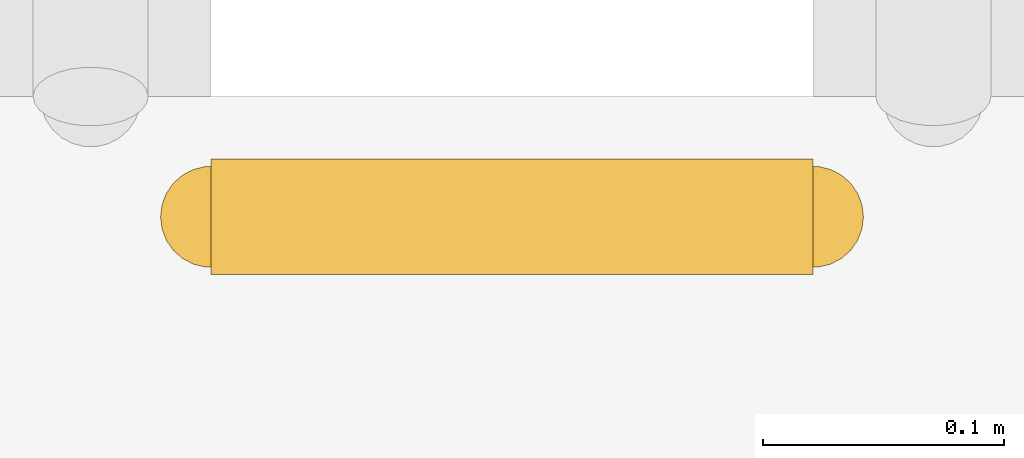
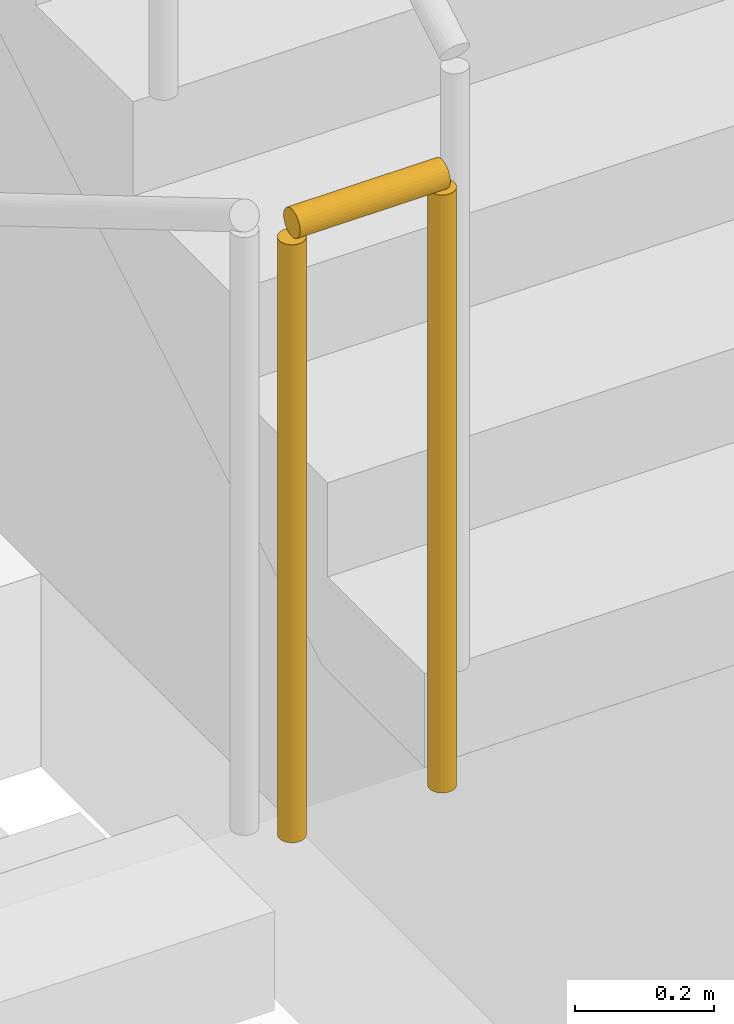
# One storey, part 29 of 39: 1 railing.
"""IFC4 building model written with IfcOpenShell, lengths in metres."""

from ifc_helpers import new_model, si_unit, direction, frame, origin, origin_2d, place, context, subcontext, project, spatial, circle, extrude, material, type_object, element, save


model = new_model("IFC4")

# Units and contexts
model_context = context("Model", 3, precision=1e-05, world=origin(), true_north=direction((0.0, 1.0)))
body_context = subcontext(model_context, "Body", "Model", "MODEL_VIEW")
ifc_project = project(units=[si_unit("LENGTHUNIT", "METRE"), si_unit("AREAUNIT", "SQUARE_METRE"), si_unit("VOLUMEUNIT", "CUBIC_METRE"), si_unit("PLANEANGLEUNIT", "RADIAN"), si_unit("MASSUNIT", "GRAM", prefix="KILO")], contexts=[model_context])

# Site, building, storey
site_placement = place(None, origin())
site = spatial("IfcSite", under=ifc_project, at=site_placement, CompositionType="ELEMENT")
building_placement = place(site_placement, origin())
building = spatial("IfcBuilding", under=site, at=building_placement, Name="Mahtab Terrace Research Tower", CompositionType="ELEMENT")
storey_placement = place(building_placement, frame((0.0, 0.0, 7.199951171875)))
storey = spatial("IfcBuildingStorey", under=building, at=storey_placement, Name="L01", CompositionType="ELEMENT", Elevation=7.199951171875)

# Railing
ifc_material = material(Name="Stainless steel AISI 304", Category="steel")
railing_type = type_object("IfcRailingType", Name="Stair guard 1100", PredefinedType="GUARDRAIL", material=ifc_material)
railing_placement = place(storey_placement, frame((3.0, -7.5849609375, 2.150146484375)))
element("IfcRailing", 1, at=railing_placement, inside=storey, type_object=railing_type, Name="L01 ST2 stair guard 2", PredefinedType="GUARDRAIL", context=body_context, shape_type="SweptSolid", body=[
    extrude(circle(Radius=0.02392578125, at=origin_2d()), frame((0.0, 0.0, 1.076171875), z_axis=(1.0, 0.0, 0.0), x_axis=(0.0, 1.0, 0.0)), (0.0, 0.0, 1.0), 0.25),
    extrude(circle(Radius=0.02099609375, at=origin_2d()), origin(), (0.0, 0.0, 1.0), 1.052001953125),
    extrude(circle(Radius=0.02099609375, at=origin_2d()), frame((0.25, 0.0, 0.0)), (0.0, 0.0, 1.0), 1.052001953125),
])

save(model, "model.ifc")
